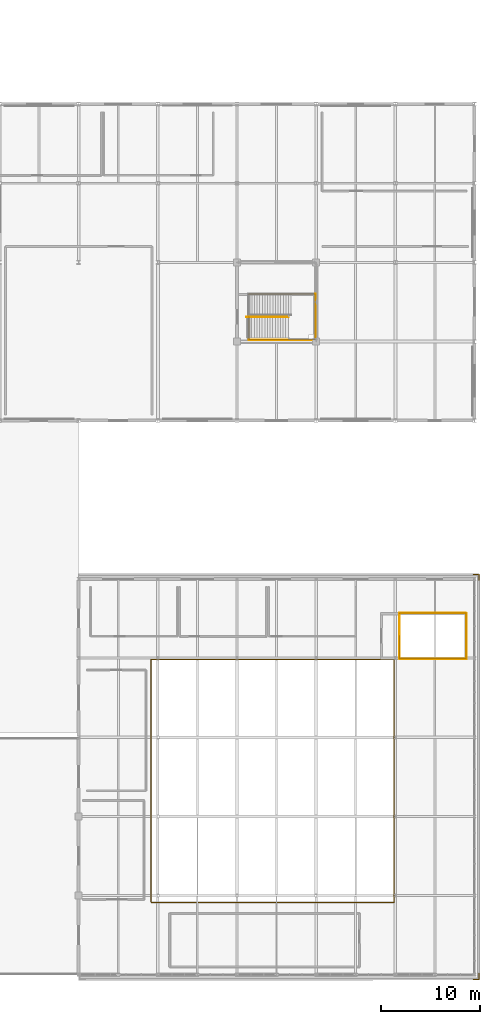
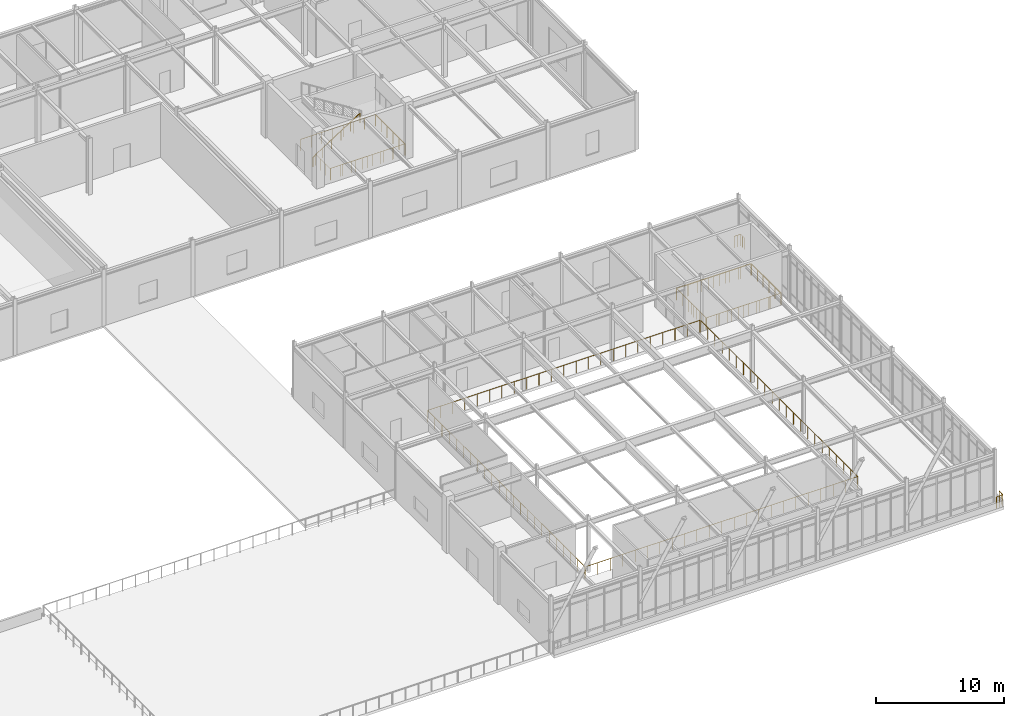
# One storey, part 107 of 108: 10 railings.
"""IFC4 building model written with IfcOpenShell, lengths in metres."""

import ifcopenshell
import ifcopenshell.guid

model = None  # the IFC model being written
_history = None  # IfcOwnerHistory: only IFC2X3 demands one
_inside = {}  # id of a spatial element -> (the spatial element, [elements in it])
_under = {}  # id of a project, library or spatial element -> (it, [spatial elements below it])
_declared = {}  # id of a project -> (the project, [libraries it declares])
_typed = {}  # id of a type object -> (the type object, [elements of that type])
_made_of = {}  # id of a material, layer set ... -> (it, [elements and type objects made of it])


def new_model(schema):
    """Start an empty IFC model of exactly this schema.

    Asked for "IFC4X3", IfcOpenShell would pick the latest addendum, in which some entities
    have other attributes; the version numbers below select the first issue.
    IFC2X3 requires an IfcOwnerHistory on every rooted entity: one is made here for all.
    """
    global model, _history
    if schema == "IFC4X3":
        model = ifcopenshell.file(schema_version=(4, 3, 0, 0))
    else:
        model = ifcopenshell.file(schema=schema)
    _inside.clear()
    _under.clear()
    _declared.clear()
    _typed.clear()
    _made_of.clear()
    _history = None
    if model.schema == "IFC2X3":
        org = make("IfcOrganization", Name="unknown")
        user = make(
            "IfcPersonAndOrganization",
            ThePerson=make("IfcPerson", FamilyName="unknown"),
            TheOrganization=org,
        )
        app = make(
            "IfcApplication",
            ApplicationDeveloper=org,
            Version="unknown",
            ApplicationFullName="unknown",
            ApplicationIdentifier="unknown",
        )
        _history = make(
            "IfcOwnerHistory",
            OwningUser=user,
            OwningApplication=app,
            ChangeAction="ADDED",
            CreationDate=0,
        )
    return model


def make(cls, **values):
    """One entity of the class cls with the attributes given. An attribute that is None is left unset."""
    return model.create_entity(
        cls, **{name: value for name, value in values.items() if value is not None}
    )


def rooted(cls, **values):
    """An entity with a GlobalId (a new one), such as an element, a storey or a relation."""
    return make(cls, GlobalId=ifcopenshell.guid.new(), OwnerHistory=_history, **values)


def si_unit(unit_type, name, prefix=None):
    """IfcSIUnit, for example si_unit("LENGTHUNIT", "METRE", prefix="MILLI")."""
    return make("IfcSIUnit", UnitType=unit_type, Prefix=prefix, Name=name)


def assignment(units):
    """IfcUnitAssignment: the units of a project."""
    return None if units is None else make("IfcUnitAssignment", Units=units)


def point(xyz):
    """IfcCartesianPoint."""
    return None if xyz is None else make("IfcCartesianPoint", Coordinates=xyz)


def direction(xyz):
    """IfcDirection."""
    return None if xyz is None else make("IfcDirection", DirectionRatios=xyz)


def frame(location, z_axis=None, x_axis=None):
    """IfcAxis2Placement3D, a coordinate frame: its origin and axes. An axis left out is left unset."""
    return make(
        "IfcAxis2Placement3D",
        Location=point(location),
        Axis=direction(z_axis),
        RefDirection=direction(x_axis),
    )


def frame_2d(location, x_axis=None):
    """IfcAxis2Placement2D, a coordinate frame in the plane: its origin and x axis."""
    return make(
        "IfcAxis2Placement2D", Location=point(location), RefDirection=direction(x_axis)
    )


def origin():
    """The frame at (0, 0, 0) with its axes left unset."""
    return frame((0.0, 0.0, 0.0))


def origin_2d():
    """The frame at (0, 0) in the plane with its x axis left unset."""
    return frame_2d((0.0, 0.0))


def place(relative_to, where):
    """IfcLocalPlacement: puts the frame where relative to a parent placement (None: the world)."""
    return make(
        "IfcLocalPlacement", PlacementRelTo=relative_to, RelativePlacement=where
    )


def context(
    kind, dimensions, precision=None, world=None, true_north=None, identifier=None
):
    """IfcGeometricRepresentationContext, for example the 3D "Model" context."""
    return make(
        "IfcGeometricRepresentationContext",
        ContextIdentifier=identifier,
        ContextType=kind,
        CoordinateSpaceDimension=dimensions,
        Precision=precision,
        WorldCoordinateSystem=world,
        TrueNorth=true_north,
    )


def subcontext(parent, identifier, kind, view, scale=None):
    """IfcGeometricRepresentationSubContext, for example "Body" below "Model"."""
    return make(
        "IfcGeometricRepresentationSubContext",
        ContextIdentifier=identifier,
        ContextType=kind,
        ParentContext=parent,
        TargetScale=scale,
        TargetView=view,
    )


def project(units=None, contexts=None):
    """IfcProject with its units and contexts."""
    return rooted(
        "IfcProject",
        Name="project",
        RepresentationContexts=contexts,
        UnitsInContext=assignment(units),
    )


def spatial(cls, under=None, at=None, **own):
    """A site, building, storey or space (cls), placed at a placement, below another one or the project."""
    s = rooted(cls, ObjectPlacement=at, **own)
    if under is not None:
        _under.setdefault(under.id(), (under, []))[1].append(s)
    return s


def profile(cls, at=None, kind="AREA", **sizes):
    """A parametric profile (cls). Its sizes go by their IFC names, for example OverallWidth=200.0."""
    return make(cls, ProfileType=kind, Position=at, **sizes)


def circle(**sizes):
    """IfcCircleProfileDef."""
    return profile("IfcCircleProfileDef", **sizes)


def extrude(swept, where, along, depth):
    """IfcExtrudedAreaSolid: the profile swept, set in the frame where, extruded along a direction by depth."""
    return make(
        "IfcExtrudedAreaSolid",
        SweptArea=swept,
        Position=where,
        ExtrudedDirection=direction(along),
        Depth=depth,
    )


def shape(context_of_items, identifier, shape_type, items):
    """IfcShapeRepresentation: the items that make up one representation, for example the "Body"."""
    return make(
        "IfcShapeRepresentation",
        ContextOfItems=context_of_items,
        RepresentationIdentifier=identifier,
        RepresentationType=shape_type,
        Items=items,
    )


def material(Name=None, Category=None):
    """IfcMaterial."""
    return make("IfcMaterial", Name=Name, Category=Category)


def made_of(thing, what):
    """Note that an element or type object is made of a material, layer set ...; save() writes the relation."""
    if what is not None:
        _made_of.setdefault(what.id(), (what, []))[1].append(thing)
    return thing


def type_object(cls, material=None, **own):
    """A type object (cls), such as IfcWallType, which elements share."""
    return made_of(rooted(cls, **own), material)


def element(
    cls,
    number,
    at=None,
    inside=None,
    cuts=None,
    type_object=None,
    material=None,
    context=None,
    identifier="Body",
    shape_type=None,
    held_by="IfcProductDefinitionShape",
    body=None,
    shapes=None,
    **own,
):
    """One element of the class cls, such as IfcWall. Its Tag is "e" and its number.

    at: its placement. inside: the storey or other place that contains it. cuts: it is an
    opening in that element (IfcRelVoidsElement). A single representation is given by context,
    identifier, shape_type and body (its items); several are given by shapes. held_by: the class
    of the entity that holds the representations. save() writes the other relations.
    """
    e = rooted(cls, Tag="e%d" % number, ObjectPlacement=at, **own)
    if body is not None:
        shapes = [shape(context, identifier, shape_type, body)]
    if shapes is not None:
        e.Representation = make(held_by, Representations=shapes)
    if inside is not None:
        _inside.setdefault(inside.id(), (inside, []))[1].append(e)
    if cuts is not None:
        rooted(
            "IfcRelVoidsElement", RelatingBuildingElement=cuts, RelatedOpeningElement=e
        )
    if type_object is not None:
        _typed.setdefault(type_object.id(), (type_object, []))[1].append(e)
    return made_of(e, material)


def aggregate(whole, parts):
    """IfcRelAggregates: a whole, such as a stair, and the parts it consists of."""
    return rooted("IfcRelAggregates", RelatingObject=whole, RelatedObjects=parts)


def save(model, path):
    """Write the relations noted so far, then the file.

    IfcRelAggregates (storeys below a building ...), IfcRelContainedInSpatialStructure (elements
    in a storey), IfcRelDefinesByType, IfcRelAssociatesMaterial and IfcRelDeclares: one each for
    every whole, place, type object, material and project.
    """
    for whole, parts in _under.values():
        aggregate(whole, parts)
    for where, things in _inside.values():
        rooted(
            "IfcRelContainedInSpatialStructure",
            RelatedElements=things,
            RelatingStructure=where,
        )
    for kind, things in _typed.values():
        rooted("IfcRelDefinesByType", RelatedObjects=things, RelatingType=kind)
    for what, things in _made_of.values():
        rooted("IfcRelAssociatesMaterial", RelatedObjects=things, RelatingMaterial=what)
    for by, libraries in _declared.values():
        rooted("IfcRelDeclares", RelatingContext=by, RelatedDefinitions=libraries)
    model.write(path)


model = new_model("IFC4")

# Units and contexts
model_context = context("Model", 3, precision=1e-05, world=origin(), true_north=direction((0.0, 1.0)))
body_context = subcontext(model_context, "Body", "Model", "MODEL_VIEW")
ifc_project = project(units=[si_unit("LENGTHUNIT", "METRE"), si_unit("AREAUNIT", "SQUARE_METRE"), si_unit("VOLUMEUNIT", "CUBIC_METRE"), si_unit("PLANEANGLEUNIT", "RADIAN"), si_unit("MASSUNIT", "GRAM", prefix="KILO")], contexts=[model_context])

# Site, building, storey
site_placement = place(None, origin())
site = spatial("IfcSite", under=ifc_project, at=site_placement, CompositionType="ELEMENT")
building_placement = place(site_placement, origin())
building = spatial("IfcBuilding", under=site, at=building_placement, Name="Zhaolan Boulevard Law Courts", CompositionType="ELEMENT")
storey_placement = place(building_placement, frame((0.0, 0.0, 10.800048828125)))
storey = spatial("IfcBuildingStorey", under=building, at=storey_placement, Name="L02", CompositionType="ELEMENT", Elevation=10.800048828125)

# Railings
ifc_material_1 = material(Name="Powder-coated steel and tempered laminated glass", Category="steel")
railing_type_1 = type_object("IfcRailingType", Name="INTERIOR GUARDRAIL 1150", PredefinedType="GUARDRAIL", material=ifc_material_1)
railing_1_placement = place(storey_placement, frame((156.4599609375, 37.919921875, 0.0)))
element("IfcRailing", 1, at=railing_1_placement, inside=storey, type_object=railing_type_1, Name="Atrium Gallery Guardrail VG-2-V1-1A", PredefinedType="GUARDRAIL", context=body_context, shape_type="SweptSolid", body=[
    extrude(circle(Radius=0.02490234375, at=origin_2d()), frame((0.0, 0.0, 1.125), z_axis=(1.0, 0.0, 0.0), x_axis=(0.0, 1.0, 0.0)), (0.0, 0.0, 1.0), 6.719970703125),
    extrude(circle(Radius=0.02490234375, at=origin_2d()), frame((6.719970703125, 0.0, 1.125), z_axis=(0.0, 1.0, 0.0), x_axis=(-1.0, 0.0, 0.0)), (0.0, 0.0, 1.0), 4.6201171875),
    extrude(circle(Radius=0.02099609375, at=origin_2d()), origin(), (0.0, 0.0, 1.0), 1.099853515625),
    extrude(circle(Radius=0.02099609375, at=origin_2d()), frame((1.1201171875, 0.0, 0.0)), (0.0, 0.0, 1.0), 1.099853515625),
    extrude(circle(Radius=0.02099609375, at=origin_2d()), frame((2.239990234375, 0.0, 0.0)), (0.0, 0.0, 1.0), 1.099853515625),
    extrude(circle(Radius=0.02099609375, at=origin_2d()), frame((3.35986328125, 0.0, 0.0)), (0.0, 0.0, 1.0), 1.099853515625),
    extrude(circle(Radius=0.02099609375, at=origin_2d()), frame((4.47998046875, 0.0, 0.0)), (0.0, 0.0, 1.0), 1.099853515625),
    extrude(circle(Radius=0.02099609375, at=origin_2d()), frame((5.60009765625, 0.0, 0.0)), (0.0, 0.0, 1.0), 1.099853515625),
    extrude(circle(Radius=0.02099609375, at=origin_2d()), frame((6.719970703125, 0.0, 0.0)), (0.0, 0.0, 1.0), 1.099853515625),
    extrude(circle(Radius=0.02099609375, at=origin_2d()), frame((6.719970703125, 0.924072265625, 0.0)), (0.0, 0.0, 1.0), 1.099853515625),
    extrude(circle(Radius=0.02099609375, at=origin_2d()), frame((6.719970703125, 1.84814453125, 0.0)), (0.0, 0.0, 1.0), 1.099853515625),
    extrude(circle(Radius=0.02099609375, at=origin_2d()), frame((6.719970703125, 2.77197265625, 0.0)), (0.0, 0.0, 1.0), 1.099853515625),
    extrude(circle(Radius=0.02099609375, at=origin_2d()), frame((6.719970703125, 3.696044921875, 0.0)), (0.0, 0.0, 1.0), 1.099853515625),
    extrude(circle(Radius=0.02099609375, at=origin_2d()), frame((6.719970703125, 4.6201171875, 0.0)), (0.0, 0.0, 1.0), 1.099853515625),
])
railing_2_placement = place(storey_placement, frame((163.1201171875, 42.580078125, 0.0)))
element("IfcRailing", 2, at=railing_2_placement, inside=storey, type_object=railing_type_1, Name="Atrium Gallery Guardrail VG-2-V1-1B", PredefinedType="GUARDRAIL", context=body_context, shape_type="SweptSolid", body=[
    extrude(circle(Radius=0.02490234375, at=origin_2d()), frame((0.0, 0.0, 1.125), z_axis=(-1.0, 0.0, 0.0), x_axis=(0.0, -1.0, 0.0)), (0.0, 0.0, 1.0), 6.7001953125),
    extrude(circle(Radius=0.02490234375, at=origin_2d()), frame((-6.7001953125, 0.0, 1.125), z_axis=(0.0, -1.0, 0.0), x_axis=(1.0, 0.0, 0.0)), (0.0, 0.0, 1.0), 4.60009765625),
    extrude(circle(Radius=0.02099609375, at=origin_2d()), origin(), (0.0, 0.0, 1.0), 1.099853515625),
    extrude(circle(Radius=0.02099609375, at=origin_2d()), frame((-1.11669921875, 0.0, 0.0)), (0.0, 0.0, 1.0), 1.099853515625),
    extrude(circle(Radius=0.02099609375, at=origin_2d()), frame((-2.2333984375, 0.0, 0.0)), (0.0, 0.0, 1.0), 1.099853515625),
    extrude(circle(Radius=0.02099609375, at=origin_2d()), frame((-3.35009765625, 0.0, 0.0)), (0.0, 0.0, 1.0), 1.099853515625),
    extrude(circle(Radius=0.02099609375, at=origin_2d()), frame((-4.466796875, 0.0, 0.0)), (0.0, 0.0, 1.0), 1.099853515625),
    extrude(circle(Radius=0.02099609375, at=origin_2d()), frame((-5.58349609375, 0.0, 0.0)), (0.0, 0.0, 1.0), 1.099853515625),
    extrude(circle(Radius=0.02099609375, at=origin_2d()), frame((-6.7001953125, 0.0, 0.0)), (0.0, 0.0, 1.0), 1.099853515625),
    extrude(circle(Radius=0.02099609375, at=origin_2d()), frame((-6.7001953125, -0.919921875, 0.0)), (0.0, 0.0, 1.0), 1.099853515625),
    extrude(circle(Radius=0.02099609375, at=origin_2d()), frame((-6.7001953125, -1.840087890625, 0.0)), (0.0, 0.0, 1.0), 1.099853515625),
    extrude(circle(Radius=0.02099609375, at=origin_2d()), frame((-6.7001953125, -2.760009765625, 0.0)), (0.0, 0.0, 1.0), 1.099853515625),
    extrude(circle(Radius=0.02099609375, at=origin_2d()), frame((-6.7001953125, -3.68017578125, 0.0)), (0.0, 0.0, 1.0), 1.099853515625),
    extrude(circle(Radius=0.02099609375, at=origin_2d()), frame((-6.7001953125, -4.60009765625, 0.0)), (0.0, 0.0, 1.0), 1.099853515625),
])
railing_3_placement = place(storey_placement, frame((131.360107421875, 13.320068359375, 0.0)))
element("IfcRailing", 3, at=railing_3_placement, inside=storey, type_object=railing_type_1, Name="Atrium Gallery Guardrail VG-2-V1-2A", PredefinedType="GUARDRAIL", context=body_context, shape_type="SweptSolid", body=[
    extrude(circle(Radius=0.02490234375, at=origin_2d()), frame((0.0, 0.0, 1.125), z_axis=(1.0, 0.0, 0.0), x_axis=(0.0, 1.0, 0.0)), (0.0, 0.0, 1.0), 24.519775390625),
    extrude(circle(Radius=0.02490234375, at=origin_2d()), frame((24.519775390625, 0.0, 1.125), z_axis=(0.0, 1.0, 0.0), x_axis=(-1.0, 0.0, 0.0)), (0.0, 0.0, 1.0), 24.52001953125),
    extrude(circle(Radius=0.02099609375, at=origin_2d()), origin(), (0.0, 0.0, 1.0), 1.099853515625),
    extrude(circle(Radius=0.02099609375, at=origin_2d()), frame((1.114501953125, 0.0, 0.0)), (0.0, 0.0, 1.0), 1.099853515625),
    extrude(circle(Radius=0.02099609375, at=origin_2d()), frame((2.22900390625, 0.0, 0.0)), (0.0, 0.0, 1.0), 1.099853515625),
    extrude(circle(Radius=0.02099609375, at=origin_2d()), frame((3.343505859375, 0.0, 0.0)), (0.0, 0.0, 1.0), 1.099853515625),
    extrude(circle(Radius=0.02099609375, at=origin_2d()), frame((4.458251953125, 0.0, 0.0)), (0.0, 0.0, 1.0), 1.099853515625),
    extrude(circle(Radius=0.02099609375, at=origin_2d()), frame((5.57275390625, 0.0, 0.0)), (0.0, 0.0, 1.0), 1.099853515625),
    extrude(circle(Radius=0.02099609375, at=origin_2d()), frame((6.687255859375, 0.0, 0.0)), (0.0, 0.0, 1.0), 1.099853515625),
    extrude(circle(Radius=0.02099609375, at=origin_2d()), frame((7.8017578125, 0.0, 0.0)), (0.0, 0.0, 1.0), 1.099853515625),
    extrude(circle(Radius=0.02099609375, at=origin_2d()), frame((8.916259765625, 0.0, 0.0)), (0.0, 0.0, 1.0), 1.099853515625),
    extrude(circle(Radius=0.02099609375, at=origin_2d()), frame((10.03076171875, 0.0, 0.0)), (0.0, 0.0, 1.0), 1.099853515625),
    extrude(circle(Radius=0.02099609375, at=origin_2d()), frame((11.145263671875, 0.0, 0.0)), (0.0, 0.0, 1.0), 1.099853515625),
    extrude(circle(Radius=0.02099609375, at=origin_2d()), frame((12.259765625, 0.0, 0.0)), (0.0, 0.0, 1.0), 1.099853515625),
    extrude(circle(Radius=0.02099609375, at=origin_2d()), frame((13.37451171875, 0.0, 0.0)), (0.0, 0.0, 1.0), 1.099853515625),
    extrude(circle(Radius=0.02099609375, at=origin_2d()), frame((14.489013671875, 0.0, 0.0)), (0.0, 0.0, 1.0), 1.099853515625),
    extrude(circle(Radius=0.02099609375, at=origin_2d()), frame((15.603515625, 0.0, 0.0)), (0.0, 0.0, 1.0), 1.099853515625),
    extrude(circle(Radius=0.02099609375, at=origin_2d()), frame((16.718017578125, 0.0, 0.0)), (0.0, 0.0, 1.0), 1.099853515625),
    extrude(circle(Radius=0.02099609375, at=origin_2d()), frame((17.83251953125, 0.0, 0.0)), (0.0, 0.0, 1.0), 1.099853515625),
    extrude(circle(Radius=0.02099609375, at=origin_2d()), frame((18.947021484375, 0.0, 0.0)), (0.0, 0.0, 1.0), 1.099853515625),
    extrude(circle(Radius=0.02099609375, at=origin_2d()), frame((20.0615234375, 0.0, 0.0)), (0.0, 0.0, 1.0), 1.099853515625),
    extrude(circle(Radius=0.02099609375, at=origin_2d()), frame((21.17626953125, 0.0, 0.0)), (0.0, 0.0, 1.0), 1.099853515625),
    extrude(circle(Radius=0.02099609375, at=origin_2d()), frame((22.290771484375, 0.0, 0.0)), (0.0, 0.0, 1.0), 1.099853515625),
    extrude(circle(Radius=0.02099609375, at=origin_2d()), frame((23.4052734375, 0.0, 0.0)), (0.0, 0.0, 1.0), 1.099853515625),
    extrude(circle(Radius=0.02099609375, at=origin_2d()), frame((24.519775390625, 0.0, 0.0)), (0.0, 0.0, 1.0), 1.099853515625),
    extrude(circle(Radius=0.02099609375, at=origin_2d()), frame((24.519775390625, 1.114501953125, 0.0)), (0.0, 0.0, 1.0), 1.099853515625),
    extrude(circle(Radius=0.02099609375, at=origin_2d()), frame((24.519775390625, 2.22900390625, 0.0)), (0.0, 0.0, 1.0), 1.099853515625),
    extrude(circle(Radius=0.02099609375, at=origin_2d()), frame((24.519775390625, 3.34375, 0.0)), (0.0, 0.0, 1.0), 1.099853515625),
    extrude(circle(Radius=0.02099609375, at=origin_2d()), frame((24.519775390625, 4.458251953125, 0.0)), (0.0, 0.0, 1.0), 1.099853515625),
    extrude(circle(Radius=0.02099609375, at=origin_2d()), frame((24.519775390625, 5.57275390625, 0.0)), (0.0, 0.0, 1.0), 1.099853515625),
    extrude(circle(Radius=0.02099609375, at=origin_2d()), frame((24.519775390625, 6.687255859375, 0.0)), (0.0, 0.0, 1.0), 1.099853515625),
    extrude(circle(Radius=0.02099609375, at=origin_2d()), frame((24.519775390625, 7.8017578125, 0.0)), (0.0, 0.0, 1.0), 1.099853515625),
    extrude(circle(Radius=0.02099609375, at=origin_2d()), frame((24.519775390625, 8.916259765625, 0.0)), (0.0, 0.0, 1.0), 1.099853515625),
    extrude(circle(Radius=0.02099609375, at=origin_2d()), frame((24.519775390625, 10.031005859375, 0.0)), (0.0, 0.0, 1.0), 1.099853515625),
    extrude(circle(Radius=0.02099609375, at=origin_2d()), frame((24.519775390625, 11.1455078125, 0.0)), (0.0, 0.0, 1.0), 1.099853515625),
    extrude(circle(Radius=0.02099609375, at=origin_2d()), frame((24.519775390625, 12.260009765625, 0.0)), (0.0, 0.0, 1.0), 1.099853515625),
    extrude(circle(Radius=0.02099609375, at=origin_2d()), frame((24.519775390625, 13.37451171875, 0.0)), (0.0, 0.0, 1.0), 1.099853515625),
    extrude(circle(Radius=0.02099609375, at=origin_2d()), frame((24.519775390625, 14.489013671875, 0.0)), (0.0, 0.0, 1.0), 1.099853515625),
    extrude(circle(Radius=0.02099609375, at=origin_2d()), frame((24.519775390625, 15.603759765625, 0.0)), (0.0, 0.0, 1.0), 1.099853515625),
    extrude(circle(Radius=0.02099609375, at=origin_2d()), frame((24.519775390625, 16.71826171875, 0.0)), (0.0, 0.0, 1.0), 1.099853515625),
    extrude(circle(Radius=0.02099609375, at=origin_2d()), frame((24.519775390625, 17.832763671875, 0.0)), (0.0, 0.0, 1.0), 1.099853515625),
    extrude(circle(Radius=0.02099609375, at=origin_2d()), frame((24.519775390625, 18.947265625, 0.0)), (0.0, 0.0, 1.0), 1.099853515625),
    extrude(circle(Radius=0.02099609375, at=origin_2d()), frame((24.519775390625, 20.061767578125, 0.0)), (0.0, 0.0, 1.0), 1.099853515625),
    extrude(circle(Radius=0.02099609375, at=origin_2d()), frame((24.519775390625, 21.17626953125, 0.0)), (0.0, 0.0, 1.0), 1.099853515625),
    extrude(circle(Radius=0.02099609375, at=origin_2d()), frame((24.519775390625, 22.291015625, 0.0)), (0.0, 0.0, 1.0), 1.099853515625),
    extrude(circle(Radius=0.02099609375, at=origin_2d()), frame((24.519775390625, 23.405517578125, 0.0)), (0.0, 0.0, 1.0), 1.099853515625),
    extrude(circle(Radius=0.02099609375, at=origin_2d()), frame((24.519775390625, 24.52001953125, 0.0)), (0.0, 0.0, 1.0), 1.099853515625),
])
railing_4_placement = place(storey_placement, frame((155.820068359375, 37.8798828125, 0.0)))
element("IfcRailing", 4, at=railing_4_placement, inside=storey, type_object=railing_type_1, Name="Atrium Gallery Guardrail VG-2-V1-2B", PredefinedType="GUARDRAIL", context=body_context, shape_type="SweptSolid", body=[
    extrude(circle(Radius=0.02490234375, at=origin_2d()), frame((0.0, 0.0, 1.125), z_axis=(-1.0, 0.0, 0.0), x_axis=(0.0, -1.0, 0.0)), (0.0, 0.0, 1.0), 24.5),
    extrude(circle(Radius=0.02490234375, at=origin_2d()), frame((-24.5, 0.0, 1.125), z_axis=(0.0, -1.0, 0.0), x_axis=(1.0, 0.0, 0.0)), (0.0, 0.0, 1.0), 24.5),
    extrude(circle(Radius=0.02099609375, at=origin_2d()), origin(), (0.0, 0.0, 1.0), 1.099853515625),
    extrude(circle(Radius=0.02099609375, at=origin_2d()), frame((-1.113525390625, 0.0, 0.0)), (0.0, 0.0, 1.0), 1.099853515625),
    extrude(circle(Radius=0.02099609375, at=origin_2d()), frame((-2.227294921875, 0.0, 0.0)), (0.0, 0.0, 1.0), 1.099853515625),
    extrude(circle(Radius=0.02099609375, at=origin_2d()), frame((-3.3408203125, 0.0, 0.0)), (0.0, 0.0, 1.0), 1.099853515625),
    extrude(circle(Radius=0.02099609375, at=origin_2d()), frame((-4.45458984375, 0.0, 0.0)), (0.0, 0.0, 1.0), 1.099853515625),
    extrude(circle(Radius=0.02099609375, at=origin_2d()), frame((-5.568115234375, 0.0, 0.0)), (0.0, 0.0, 1.0), 1.099853515625),
    extrude(circle(Radius=0.02099609375, at=origin_2d()), frame((-6.681884765625, 0.0, 0.0)), (0.0, 0.0, 1.0), 1.099853515625),
    extrude(circle(Radius=0.02099609375, at=origin_2d()), frame((-7.79541015625, 0.0, 0.0)), (0.0, 0.0, 1.0), 1.099853515625),
    extrude(circle(Radius=0.02099609375, at=origin_2d()), frame((-8.9091796875, 0.0, 0.0)), (0.0, 0.0, 1.0), 1.099853515625),
    extrude(circle(Radius=0.02099609375, at=origin_2d()), frame((-10.022705078125, 0.0, 0.0)), (0.0, 0.0, 1.0), 1.099853515625),
    extrude(circle(Radius=0.02099609375, at=origin_2d()), frame((-11.136474609375, 0.0, 0.0)), (0.0, 0.0, 1.0), 1.099853515625),
    extrude(circle(Radius=0.02099609375, at=origin_2d()), frame((-12.25, 0.0, 0.0)), (0.0, 0.0, 1.0), 1.099853515625),
    extrude(circle(Radius=0.02099609375, at=origin_2d()), frame((-13.363525390625, 0.0, 0.0)), (0.0, 0.0, 1.0), 1.099853515625),
    extrude(circle(Radius=0.02099609375, at=origin_2d()), frame((-14.477294921875, 0.0, 0.0)), (0.0, 0.0, 1.0), 1.099853515625),
    extrude(circle(Radius=0.02099609375, at=origin_2d()), frame((-15.5908203125, 0.0, 0.0)), (0.0, 0.0, 1.0), 1.099853515625),
    extrude(circle(Radius=0.02099609375, at=origin_2d()), frame((-16.70458984375, 0.0, 0.0)), (0.0, 0.0, 1.0), 1.099853515625),
    extrude(circle(Radius=0.02099609375, at=origin_2d()), frame((-17.818115234375, 0.0, 0.0)), (0.0, 0.0, 1.0), 1.099853515625),
    extrude(circle(Radius=0.02099609375, at=origin_2d()), frame((-18.931884765625, 0.0, 0.0)), (0.0, 0.0, 1.0), 1.099853515625),
    extrude(circle(Radius=0.02099609375, at=origin_2d()), frame((-20.04541015625, 0.0, 0.0)), (0.0, 0.0, 1.0), 1.099853515625),
    extrude(circle(Radius=0.02099609375, at=origin_2d()), frame((-21.1591796875, 0.0, 0.0)), (0.0, 0.0, 1.0), 1.099853515625),
    extrude(circle(Radius=0.02099609375, at=origin_2d()), frame((-22.272705078125, 0.0, 0.0)), (0.0, 0.0, 1.0), 1.099853515625),
    extrude(circle(Radius=0.02099609375, at=origin_2d()), frame((-23.386474609375, 0.0, 0.0)), (0.0, 0.0, 1.0), 1.099853515625),
    extrude(circle(Radius=0.02099609375, at=origin_2d()), frame((-24.5, 0.0, 0.0)), (0.0, 0.0, 1.0), 1.099853515625),
    extrude(circle(Radius=0.02099609375, at=origin_2d()), frame((-24.5, -1.113525390625, 0.0)), (0.0, 0.0, 1.0), 1.099853515625),
    extrude(circle(Radius=0.02099609375, at=origin_2d()), frame((-24.5, -2.227294921875, 0.0)), (0.0, 0.0, 1.0), 1.099853515625),
    extrude(circle(Radius=0.02099609375, at=origin_2d()), frame((-24.5, -3.3408203125, 0.0)), (0.0, 0.0, 1.0), 1.099853515625),
    extrude(circle(Radius=0.02099609375, at=origin_2d()), frame((-24.5, -4.45458984375, 0.0)), (0.0, 0.0, 1.0), 1.099853515625),
    extrude(circle(Radius=0.02099609375, at=origin_2d()), frame((-24.5, -5.568115234375, 0.0)), (0.0, 0.0, 1.0), 1.099853515625),
    extrude(circle(Radius=0.02099609375, at=origin_2d()), frame((-24.5, -6.681884765625, 0.0)), (0.0, 0.0, 1.0), 1.099853515625),
    extrude(circle(Radius=0.02099609375, at=origin_2d()), frame((-24.5, -7.79541015625, 0.0)), (0.0, 0.0, 1.0), 1.099853515625),
    extrude(circle(Radius=0.02099609375, at=origin_2d()), frame((-24.5, -8.9091796875, 0.0)), (0.0, 0.0, 1.0), 1.099853515625),
    extrude(circle(Radius=0.02099609375, at=origin_2d()), frame((-24.5, -10.022705078125, 0.0)), (0.0, 0.0, 1.0), 1.099853515625),
    extrude(circle(Radius=0.02099609375, at=origin_2d()), frame((-24.5, -11.136474609375, 0.0)), (0.0, 0.0, 1.0), 1.099853515625),
    extrude(circle(Radius=0.02099609375, at=origin_2d()), frame((-24.5, -12.25, 0.0)), (0.0, 0.0, 1.0), 1.099853515625),
    extrude(circle(Radius=0.02099609375, at=origin_2d()), frame((-24.5, -13.363525390625, 0.0)), (0.0, 0.0, 1.0), 1.099853515625),
    extrude(circle(Radius=0.02099609375, at=origin_2d()), frame((-24.5, -14.477294921875, 0.0)), (0.0, 0.0, 1.0), 1.099853515625),
    extrude(circle(Radius=0.02099609375, at=origin_2d()), frame((-24.5, -15.5908203125, 0.0)), (0.0, 0.0, 1.0), 1.099853515625),
    extrude(circle(Radius=0.02099609375, at=origin_2d()), frame((-24.5, -16.70458984375, 0.0)), (0.0, 0.0, 1.0), 1.099853515625),
    extrude(circle(Radius=0.02099609375, at=origin_2d()), frame((-24.5, -17.818115234375, 0.0)), (0.0, 0.0, 1.0), 1.099853515625),
    extrude(circle(Radius=0.02099609375, at=origin_2d()), frame((-24.5, -18.931884765625, 0.0)), (0.0, 0.0, 1.0), 1.099853515625),
    extrude(circle(Radius=0.02099609375, at=origin_2d()), frame((-24.5, -20.04541015625, 0.0)), (0.0, 0.0, 1.0), 1.099853515625),
    extrude(circle(Radius=0.02099609375, at=origin_2d()), frame((-24.5, -21.1591796875, 0.0)), (0.0, 0.0, 1.0), 1.099853515625),
    extrude(circle(Radius=0.02099609375, at=origin_2d()), frame((-24.5, -22.272705078125, 0.0)), (0.0, 0.0, 1.0), 1.099853515625),
    extrude(circle(Radius=0.02099609375, at=origin_2d()), frame((-24.5, -23.386474609375, 0.0)), (0.0, 0.0, 1.0), 1.099853515625),
    extrude(circle(Radius=0.02099609375, at=origin_2d()), frame((-24.5, -24.5, 0.0)), (0.0, 0.0, 1.0), 1.099853515625),
])
railing_5_placement = place(storey_placement, frame((141.2099609375, 70.169921875, 0.0)))
element("IfcRailing", 5, at=railing_5_placement, inside=storey, type_object=railing_type_1, Name="Atrium Gallery Guardrail VG-2-V2-3A", PredefinedType="GUARDRAIL", context=body_context, shape_type="SweptSolid", body=[
    extrude(circle(Radius=0.02490234375, at=origin_2d()), frame((0.0, 0.0, 1.125), z_axis=(1.0, 0.0, 0.0), x_axis=(0.0, 1.0, 0.0)), (0.0, 0.0, 1.0), 6.719970703125),
    extrude(circle(Radius=0.02490234375, at=origin_2d()), frame((6.719970703125, 0.0, 1.125), z_axis=(0.0, 1.0, 0.0), x_axis=(-1.0, 0.0, 0.0)), (0.0, 0.0, 1.0), 4.6201171875),
    extrude(circle(Radius=0.02099609375, at=origin_2d()), origin(), (0.0, 0.0, 1.0), 1.099853515625),
    extrude(circle(Radius=0.02099609375, at=origin_2d()), frame((1.1201171875, 0.0, 0.0)), (0.0, 0.0, 1.0), 1.099853515625),
    extrude(circle(Radius=0.02099609375, at=origin_2d()), frame((2.239990234375, 0.0, 0.0)), (0.0, 0.0, 1.0), 1.099853515625),
    extrude(circle(Radius=0.02099609375, at=origin_2d()), frame((3.35986328125, 0.0, 0.0)), (0.0, 0.0, 1.0), 1.099853515625),
    extrude(circle(Radius=0.02099609375, at=origin_2d()), frame((4.47998046875, 0.0, 0.0)), (0.0, 0.0, 1.0), 1.099853515625),
    extrude(circle(Radius=0.02099609375, at=origin_2d()), frame((5.60009765625, 0.0, 0.0)), (0.0, 0.0, 1.0), 1.099853515625),
    extrude(circle(Radius=0.02099609375, at=origin_2d()), frame((6.719970703125, 0.0, 0.0)), (0.0, 0.0, 1.0), 1.099853515625),
    extrude(circle(Radius=0.02099609375, at=origin_2d()), frame((6.719970703125, 0.924072265625, 0.0)), (0.0, 0.0, 1.0), 1.099853515625),
    extrude(circle(Radius=0.02099609375, at=origin_2d()), frame((6.719970703125, 1.84814453125, 0.0)), (0.0, 0.0, 1.0), 1.099853515625),
    extrude(circle(Radius=0.02099609375, at=origin_2d()), frame((6.719970703125, 2.77197265625, 0.0)), (0.0, 0.0, 1.0), 1.099853515625),
    extrude(circle(Radius=0.02099609375, at=origin_2d()), frame((6.719970703125, 3.696044921875, 0.0)), (0.0, 0.0, 1.0), 1.099853515625),
    extrude(circle(Radius=0.02099609375, at=origin_2d()), frame((6.719970703125, 4.6201171875, 0.0)), (0.0, 0.0, 1.0), 1.099853515625),
])
ifc_material_2 = material(Name="Brushed stainless steel tubular handrail", Category="steel")
railing_type_2 = type_object("IfcRailingType", Name="STAIR HANDRAIL 900", PredefinedType="HANDRAIL", material=ifc_material_2)
railing_6_placement = place(storey_placement, frame((140.949951171875, 72.47998046875, 0.0)))
element("IfcRailing", 6, at=railing_6_placement, inside=storey, type_object=railing_type_2, Name="Stair Handrail HR-ST09-L02-1", PredefinedType="HANDRAIL", context=body_context, shape_type="SweptSolid", body=[
    extrude(circle(Radius=0.0224609375, at=origin_2d()), frame((0.0, 0.0, 0.87744140625), z_axis=(0.843501457581, 0.0, 0.537126885437), x_axis=(0.0, 1.0, 0.0)), (0.0, 0.0, 1.0), 5.026611328125),
    extrude(circle(Radius=0.01904296875, at=origin_2d()), origin(), (0.0, 0.0, 1.0), 0.85498046875),
    extrude(circle(Radius=0.01904296875, at=origin_2d()), frame((0.847900390625, 0.0, 0.5400390625)), (0.0, 0.0, 1.0), 0.85498046875),
    extrude(circle(Radius=0.01904296875, at=origin_2d()), frame((1.696044921875, 0.0, 1.080078125)), (0.0, 0.0, 1.0), 0.85498046875),
    extrude(circle(Radius=0.01904296875, at=origin_2d()), frame((2.5439453125, 0.0, 1.619873046875)), (0.0, 0.0, 1.0), 0.85498046875),
    extrude(circle(Radius=0.01904296875, at=origin_2d()), frame((3.39208984375, 0.0, 2.159912109375)), (0.0, 0.0, 1.0), 0.85498046875),
    extrude(circle(Radius=0.01904296875, at=origin_2d()), frame((4.239990234375, 0.0, 2.699951171875)), (0.0, 0.0, 1.0), 0.85498046875),
])
ifc_material_3 = material(Name="Powder-coated steel baluster guardrail", Category="steel")
railing_type_3 = type_object("IfcRailingType", Name="STAIR WELL GUARDRAIL 1120", PredefinedType="GUARDRAIL", material=ifc_material_3)
railing_7_placement = place(storey_placement, frame((156.43994140625, 40.280029296875, 0.0)))
element("IfcRailing", 7, at=railing_7_placement, inside=storey, type_object=railing_type_3, Name="Stair-Well Floor Guardrail WG-ST07-L01", PredefinedType="GUARDRAIL", context=body_context, shape_type="SweptSolid", body=[
    extrude(circle(Radius=0.02392578125, at=origin_2d()), frame((0.0, 0.0, 1.09619140625), z_axis=(0.0, -1.0, 0.0), x_axis=(1.0, 0.0, 0.0)), (0.0, 0.0, 1.0), 2.330078125),
    extrude(circle(Radius=0.02392578125, at=origin_2d()), frame((0.0, -2.330078125, 1.09619140625), z_axis=(1.0, 0.0, 0.0), x_axis=(0.0, 1.0, 0.0)), (0.0, 0.0, 1.0), 6.7099609375),
    extrude(circle(Radius=0.02392578125, at=origin_2d()), frame((6.7099609375, -2.330078125, 1.09619140625), z_axis=(0.0, 1.0, 0.0), x_axis=(-1.0, 0.0, 0.0)), (0.0, 0.0, 1.0), 4.60009765625),
    extrude(circle(Radius=0.02392578125, at=origin_2d()), frame((6.7099609375, 2.27001953125, 1.09619140625), z_axis=(-1.0, 0.0, 0.0), x_axis=(0.0, -1.0, 0.0)), (0.0, 0.0, 1.0), 6.7099609375),
    extrude(circle(Radius=0.02392578125, at=origin_2d()), frame((0.0, 2.27001953125, 1.09619140625), z_axis=(0.0, -1.0, 0.0), x_axis=(1.0, 0.0, 0.0)), (0.0, 0.0, 1.0), 0.0400390625),
    extrude(circle(Radius=0.02099609375, at=origin_2d()), origin(), (0.0, 0.0, 1.0), 1.072021484375),
    extrude(circle(Radius=0.02099609375, at=origin_2d()), frame((0.0, -0.776611328125, 0.0)), (0.0, 0.0, 1.0), 1.072021484375),
    extrude(circle(Radius=0.02099609375, at=origin_2d()), frame((0.0, -1.553466796875, 0.0)), (0.0, 0.0, 1.0), 1.072021484375),
    extrude(circle(Radius=0.02099609375, at=origin_2d()), frame((0.0, -2.330078125, 0.0)), (0.0, 0.0, 1.0), 1.072021484375),
    extrude(circle(Radius=0.02099609375, at=origin_2d()), frame((0.95849609375, -2.330078125, 0.0)), (0.0, 0.0, 1.0), 1.072021484375),
    extrude(circle(Radius=0.02099609375, at=origin_2d()), frame((1.917236328125, -2.330078125, 0.0)), (0.0, 0.0, 1.0), 1.072021484375),
    extrude(circle(Radius=0.02099609375, at=origin_2d()), frame((2.875732421875, -2.330078125, 0.0)), (0.0, 0.0, 1.0), 1.072021484375),
    extrude(circle(Radius=0.02099609375, at=origin_2d()), frame((3.834228515625, -2.330078125, 0.0)), (0.0, 0.0, 1.0), 1.072021484375),
    extrude(circle(Radius=0.02099609375, at=origin_2d()), frame((4.792724609375, -2.330078125, 0.0)), (0.0, 0.0, 1.0), 1.072021484375),
    extrude(circle(Radius=0.02099609375, at=origin_2d()), frame((5.75146484375, -2.330078125, 0.0)), (0.0, 0.0, 1.0), 1.072021484375),
    extrude(circle(Radius=0.02099609375, at=origin_2d()), frame((6.7099609375, -2.330078125, 0.0)), (0.0, 0.0, 1.0), 1.072021484375),
    extrude(circle(Radius=0.02099609375, at=origin_2d()), frame((6.7099609375, -1.41015625, 0.0)), (0.0, 0.0, 1.0), 1.072021484375),
    extrude(circle(Radius=0.02099609375, at=origin_2d()), frame((6.7099609375, -0.489990234375, 0.0)), (0.0, 0.0, 1.0), 1.072021484375),
    extrude(circle(Radius=0.02099609375, at=origin_2d()), frame((6.7099609375, 0.429931640625, 0.0)), (0.0, 0.0, 1.0), 1.072021484375),
    extrude(circle(Radius=0.02099609375, at=origin_2d()), frame((6.7099609375, 1.35009765625, 0.0)), (0.0, 0.0, 1.0), 1.072021484375),
    extrude(circle(Radius=0.02099609375, at=origin_2d()), frame((6.7099609375, 2.27001953125, 0.0)), (0.0, 0.0, 1.0), 1.072021484375),
    extrude(circle(Radius=0.02099609375, at=origin_2d()), frame((5.75146484375, 2.27001953125, 0.0)), (0.0, 0.0, 1.0), 1.072021484375),
    extrude(circle(Radius=0.02099609375, at=origin_2d()), frame((4.792724609375, 2.27001953125, 0.0)), (0.0, 0.0, 1.0), 1.072021484375),
    extrude(circle(Radius=0.02099609375, at=origin_2d()), frame((3.834228515625, 2.27001953125, 0.0)), (0.0, 0.0, 1.0), 1.072021484375),
    extrude(circle(Radius=0.02099609375, at=origin_2d()), frame((2.875732421875, 2.27001953125, 0.0)), (0.0, 0.0, 1.0), 1.072021484375),
    extrude(circle(Radius=0.02099609375, at=origin_2d()), frame((1.917236328125, 2.27001953125, 0.0)), (0.0, 0.0, 1.0), 1.072021484375),
    extrude(circle(Radius=0.02099609375, at=origin_2d()), frame((0.95849609375, 2.27001953125, 0.0)), (0.0, 0.0, 1.0), 1.072021484375),
    extrude(circle(Radius=0.02099609375, at=origin_2d()), frame((0.0, 2.27001953125, 0.0)), (0.0, 0.0, 1.0), 1.072021484375),
    extrude(circle(Radius=0.02099609375, at=origin_2d()), frame((0.0, 2.22998046875, 0.0)), (0.0, 0.0, 1.0), 1.072021484375),
])
railing_8_placement = place(storey_placement, frame((141.18994140625, 72.530029296875, 0.0)))
element("IfcRailing", 8, at=railing_8_placement, inside=storey, type_object=railing_type_3, Name="Stair-Well Floor Guardrail WG-ST09-L01", PredefinedType="GUARDRAIL", context=body_context, shape_type="SweptSolid", body=[
    extrude(circle(Radius=0.02392578125, at=origin_2d()), frame((0.0, 0.0, 1.09619140625), z_axis=(0.0, -1.0, 0.0), x_axis=(1.0, 0.0, 0.0)), (0.0, 0.0, 1.0), 2.330078125),
    extrude(circle(Radius=0.02392578125, at=origin_2d()), frame((0.0, -2.330078125, 1.09619140625), z_axis=(1.0, 0.0, 0.0), x_axis=(0.0, 1.0, 0.0)), (0.0, 0.0, 1.0), 6.7099609375),
    extrude(circle(Radius=0.02392578125, at=origin_2d()), frame((6.7099609375, -2.330078125, 1.09619140625), z_axis=(0.0, 1.0, 0.0), x_axis=(-1.0, 0.0, 0.0)), (0.0, 0.0, 1.0), 4.60009765625),
    extrude(circle(Radius=0.02392578125, at=origin_2d()), frame((6.7099609375, 2.27001953125, 1.09619140625), z_axis=(-1.0, 0.0, 0.0), x_axis=(0.0, -1.0, 0.0)), (0.0, 0.0, 1.0), 6.7099609375),
    extrude(circle(Radius=0.02392578125, at=origin_2d()), frame((0.0, 2.27001953125, 1.09619140625), z_axis=(0.0, -1.0, 0.0), x_axis=(1.0, 0.0, 0.0)), (0.0, 0.0, 1.0), 0.0400390625),
    extrude(circle(Radius=0.02099609375, at=origin_2d()), origin(), (0.0, 0.0, 1.0), 1.072021484375),
    extrude(circle(Radius=0.02099609375, at=origin_2d()), frame((0.0, -0.776611328125, 0.0)), (0.0, 0.0, 1.0), 1.072021484375),
    extrude(circle(Radius=0.02099609375, at=origin_2d()), frame((0.0, -1.553466796875, 0.0)), (0.0, 0.0, 1.0), 1.072021484375),
    extrude(circle(Radius=0.02099609375, at=origin_2d()), frame((0.0, -2.330078125, 0.0)), (0.0, 0.0, 1.0), 1.072021484375),
    extrude(circle(Radius=0.02099609375, at=origin_2d()), frame((0.95849609375, -2.330078125, 0.0)), (0.0, 0.0, 1.0), 1.072021484375),
    extrude(circle(Radius=0.02099609375, at=origin_2d()), frame((1.917236328125, -2.330078125, 0.0)), (0.0, 0.0, 1.0), 1.072021484375),
    extrude(circle(Radius=0.02099609375, at=origin_2d()), frame((2.875732421875, -2.330078125, 0.0)), (0.0, 0.0, 1.0), 1.072021484375),
    extrude(circle(Radius=0.02099609375, at=origin_2d()), frame((3.834228515625, -2.330078125, 0.0)), (0.0, 0.0, 1.0), 1.072021484375),
    extrude(circle(Radius=0.02099609375, at=origin_2d()), frame((4.792724609375, -2.330078125, 0.0)), (0.0, 0.0, 1.0), 1.072021484375),
    extrude(circle(Radius=0.02099609375, at=origin_2d()), frame((5.75146484375, -2.330078125, 0.0)), (0.0, 0.0, 1.0), 1.072021484375),
    extrude(circle(Radius=0.02099609375, at=origin_2d()), frame((6.7099609375, -2.330078125, 0.0)), (0.0, 0.0, 1.0), 1.072021484375),
    extrude(circle(Radius=0.02099609375, at=origin_2d()), frame((6.7099609375, -1.41015625, 0.0)), (0.0, 0.0, 1.0), 1.072021484375),
    extrude(circle(Radius=0.02099609375, at=origin_2d()), frame((6.7099609375, -0.489990234375, 0.0)), (0.0, 0.0, 1.0), 1.072021484375),
    extrude(circle(Radius=0.02099609375, at=origin_2d()), frame((6.7099609375, 0.429931640625, 0.0)), (0.0, 0.0, 1.0), 1.072021484375),
    extrude(circle(Radius=0.02099609375, at=origin_2d()), frame((6.7099609375, 1.35009765625, 0.0)), (0.0, 0.0, 1.0), 1.072021484375),
    extrude(circle(Radius=0.02099609375, at=origin_2d()), frame((6.7099609375, 2.27001953125, 0.0)), (0.0, 0.0, 1.0), 1.072021484375),
    extrude(circle(Radius=0.02099609375, at=origin_2d()), frame((5.75146484375, 2.27001953125, 0.0)), (0.0, 0.0, 1.0), 1.072021484375),
    extrude(circle(Radius=0.02099609375, at=origin_2d()), frame((4.792724609375, 2.27001953125, 0.0)), (0.0, 0.0, 1.0), 1.072021484375),
    extrude(circle(Radius=0.02099609375, at=origin_2d()), frame((3.834228515625, 2.27001953125, 0.0)), (0.0, 0.0, 1.0), 1.072021484375),
    extrude(circle(Radius=0.02099609375, at=origin_2d()), frame((2.875732421875, 2.27001953125, 0.0)), (0.0, 0.0, 1.0), 1.072021484375),
    extrude(circle(Radius=0.02099609375, at=origin_2d()), frame((1.917236328125, 2.27001953125, 0.0)), (0.0, 0.0, 1.0), 1.072021484375),
    extrude(circle(Radius=0.02099609375, at=origin_2d()), frame((0.95849609375, 2.27001953125, 0.0)), (0.0, 0.0, 1.0), 1.072021484375),
    extrude(circle(Radius=0.02099609375, at=origin_2d()), frame((0.0, 2.27001953125, 0.0)), (0.0, 0.0, 1.0), 1.072021484375),
    extrude(circle(Radius=0.02099609375, at=origin_2d()), frame((0.0, 2.22998046875, 0.0)), (0.0, 0.0, 1.0), 1.072021484375),
])
railing_9_placement = place(storey_placement, frame((163.8798828125, 5.5400390625, 0.0)))
element("IfcRailing", 9, at=railing_9_placement, inside=storey, type_object=railing_type_3, Name="Slab Corner Guardrail GR-CRN-L02-V1SE", PredefinedType="GUARDRAIL", context=body_context, shape_type="SweptSolid", body=[
    extrude(circle(Radius=0.02392578125, at=origin_2d()), frame((0.0, 0.0, 1.09619140625), z_axis=(1.0, 0.0, 0.0), x_axis=(0.0, 1.0, 0.0)), (0.0, 0.0, 1.0), 0.580078125),
    extrude(circle(Radius=0.02392578125, at=origin_2d()), frame((0.580078125, 0.0, 1.09619140625), z_axis=(0.0, 1.0, 0.0), x_axis=(-1.0, 0.0, 0.0)), (0.0, 0.0, 1.0), 0.599853515625),
    extrude(circle(Radius=0.02099609375, at=origin_2d()), origin(), (0.0, 0.0, 1.0), 1.072021484375),
    extrude(circle(Radius=0.02099609375, at=origin_2d()), frame((0.2900390625, 0.0, 0.0)), (0.0, 0.0, 1.0), 1.072021484375),
    extrude(circle(Radius=0.02099609375, at=origin_2d()), frame((0.580078125, 0.0, 0.0)), (0.0, 0.0, 1.0), 1.072021484375),
    extrude(circle(Radius=0.02099609375, at=origin_2d()), frame((0.580078125, 0.2998046875, 0.0)), (0.0, 0.0, 1.0), 1.072021484375),
    extrude(circle(Radius=0.02099609375, at=origin_2d()), frame((0.580078125, 0.599853515625, 0.0)), (0.0, 0.0, 1.0), 1.072021484375),
])
railing_10_placement = place(storey_placement, frame((163.8798828125, 46.4599609375, 0.0)))
element("IfcRailing", 10, at=railing_10_placement, inside=storey, type_object=railing_type_3, Name="Slab Corner Guardrail GR-CRN-L02-V1NE", PredefinedType="GUARDRAIL", context=body_context, shape_type="SweptSolid", body=[
    extrude(circle(Radius=0.02392578125, at=origin_2d()), frame((0.0, 0.0, 1.09619140625), z_axis=(1.0, 0.0, 0.0), x_axis=(0.0, 1.0, 0.0)), (0.0, 0.0, 1.0), 0.580078125),
    extrude(circle(Radius=0.02392578125, at=origin_2d()), frame((0.580078125, 0.0, 1.09619140625), z_axis=(0.0, -1.0, 0.0), x_axis=(1.0, 0.0, 0.0)), (0.0, 0.0, 1.0), 0.580078125),
    extrude(circle(Radius=0.02099609375, at=origin_2d()), origin(), (0.0, 0.0, 1.0), 1.072021484375),
    extrude(circle(Radius=0.02099609375, at=origin_2d()), frame((0.2900390625, 0.0, 0.0)), (0.0, 0.0, 1.0), 1.072021484375),
    extrude(circle(Radius=0.02099609375, at=origin_2d()), frame((0.580078125, 0.0, 0.0)), (0.0, 0.0, 1.0), 1.072021484375),
    extrude(circle(Radius=0.02099609375, at=origin_2d()), frame((0.580078125, -0.2900390625, 0.0)), (0.0, 0.0, 1.0), 1.072021484375),
    extrude(circle(Radius=0.02099609375, at=origin_2d()), frame((0.580078125, -0.580078125, 0.0)), (0.0, 0.0, 1.0), 1.072021484375),
])

save(model, "model.ifc")
